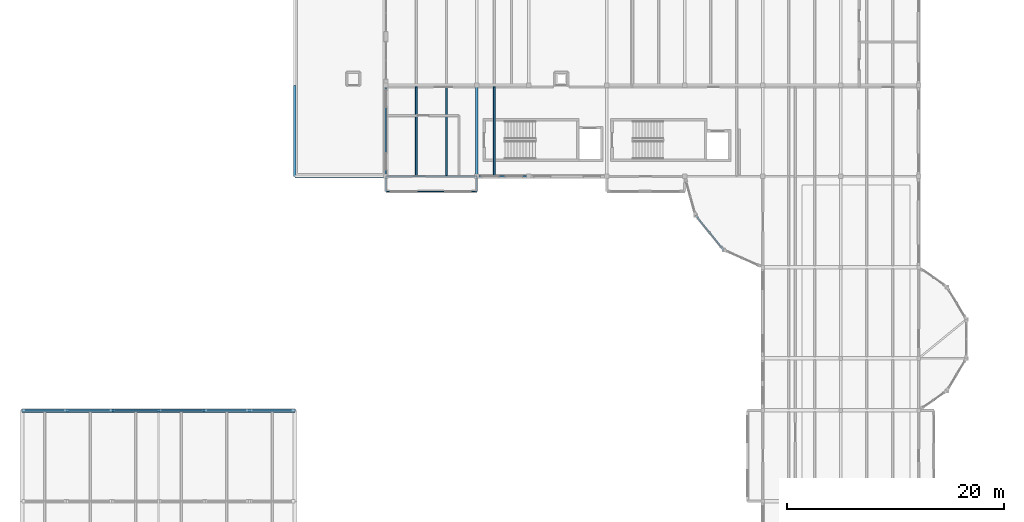
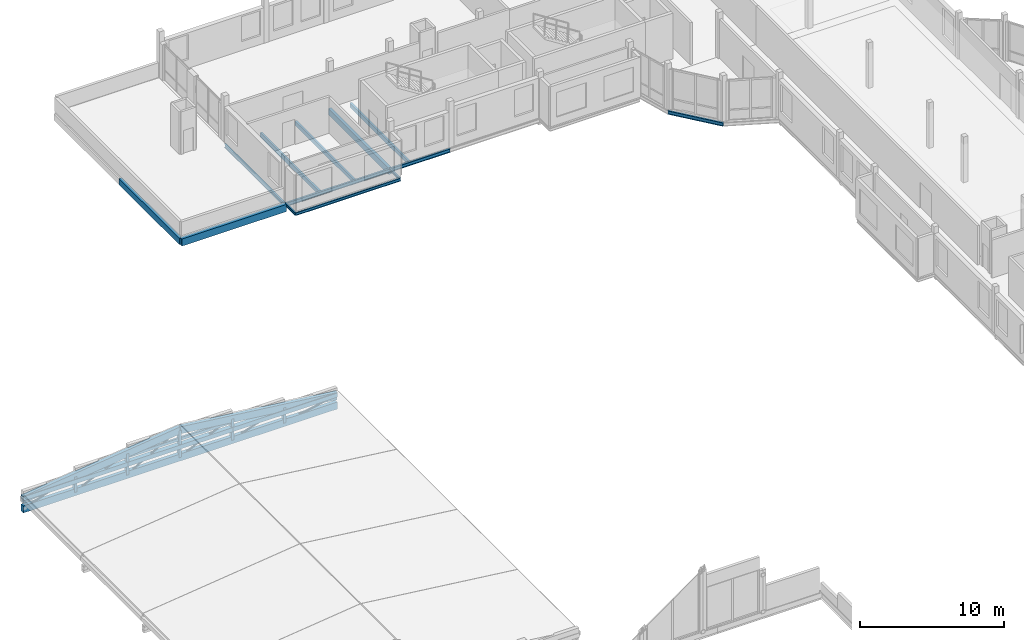
# One storey, part 13 of 34: 16 beams, 15 members.
"""IFC4 building model written with IfcOpenShell, lengths in metres."""

from ifc_helpers import new_model, si_unit, direction, frame, origin, origin_2d, place, context, subcontext, project, spatial, rectangle, hollow_circle, i_section, extrude, material, material_profile, profile_set, type_object, element, save


model = new_model("IFC4")

# Units and contexts
model_context = context("Model", 3, precision=1e-05, world=origin(), true_north=direction((0.0, 1.0)))
body_context = subcontext(model_context, "Body", "Model", "MODEL_VIEW")
ifc_project = project(units=[si_unit("LENGTHUNIT", "METRE"), si_unit("AREAUNIT", "SQUARE_METRE"), si_unit("VOLUMEUNIT", "CUBIC_METRE"), si_unit("PLANEANGLEUNIT", "RADIAN"), si_unit("MASSUNIT", "GRAM", prefix="KILO")], contexts=[model_context])

# Site, building, storey
site_placement = place(None, origin())
site = spatial("IfcSite", under=ifc_project, at=site_placement, CompositionType="ELEMENT")
building_placement = place(site_placement, origin())
building = spatial("IfcBuilding", under=site, at=building_placement, Name="Kahlenmark Community Centre", CompositionType="ELEMENT")
storey_placement = place(building_placement, frame((0.0, 0.0, 17.699951171875)))
storey = spatial("IfcBuildingStorey", under=building, at=storey_placement, Name="L04", CompositionType="ELEMENT", Elevation=17.699951171875)

# Beams
ifc_material_1 = material(Name="Glulam GL32h", Category="wood")
ifc_material_profile_1 = material_profile(ifc_material_1, rectangle(XDim=0.239990234375, YDim=0.52001953125, at=origin_2d()), Name="GL32h 240x520")
ifc_profile_set_1 = profile_set([ifc_material_profile_1], Name="Glulam GL32h")
beam_type_1 = type_object("IfcBeamType", Name="BT-BEAM-GL32h240x520", PredefinedType="BEAM", material=ifc_profile_set_1)
for number, where, z_axis, x_axis, name in (
    (1, (46.0, 97.60009765625, -0.47998046875), (0.0, 1.0, 0.0), (-1.0, 0.0, 0.0), "L04 beam BG-GL32h240x520"),
    (2, (29.199951171875, 97.60009765625, -0.5400390625), (0.0, 1.0, 0.0), (-1.0, 0.0, 0.0), "L04 beam BG-RF520"),
):
    element("IfcBeam", number, at=place(storey_placement, frame(where, z_axis=z_axis, x_axis=x_axis)), inside=storey, type_object=beam_type_1, Name=name, PredefinedType="BEAM", context=body_context, shape_type="SweptSolid", body=[
        extrude(rectangle(XDim=0.239990234375, YDim=0.52001953125, at=origin_2d()), origin(), (0.0, 0.0, 1.0), 8.39990234375),
    ])
ifc_material_profile_2 = material_profile(ifc_material_1, rectangle(XDim=0.280029296875, YDim=0.60009765625, at=origin_2d()), Name="GL32h 280x600")
ifc_profile_set_2 = profile_set([ifc_material_profile_2], Name="Glulam GL32h")
beam_type_2 = type_object("IfcBeamType", Name="BT-BEAM-GL32h280x600", PredefinedType="BEAM", material=ifc_profile_set_2)
beam_1_placement = place(storey_placement, frame((29.199951171875, 97.60009765625, -0.579833984375), z_axis=(1.0, 0.0, 0.0), x_axis=(0.0, 1.0, 0.0)))
element("IfcBeam", 3, at=beam_1_placement, inside=storey, type_object=beam_type_2, Name="L04 beam BG-RF600", PredefinedType="BEAM", context=body_context, shape_type="SweptSolid", body=[
    extrude(rectangle(XDim=0.280029296875, YDim=0.60009765625, at=origin_2d()), origin(), (0.0, 0.0, 1.0), 8.400146484375),
])
ifc_material_2 = material(Name="Steel S355", Category="steel")
ifc_material_profile_3 = material_profile(ifc_material_2, i_section(OverallWidth=0.1201171875, OverallDepth=0.239990234375, WebThickness=0.006103515625, FlangeThickness=0.009765625, at=origin_2d()), Name="IPE 240")
ifc_profile_set_3 = profile_set([ifc_material_profile_3], Name="Steel S355")
beam_type_3 = type_object("IfcBeamType", Name="BT-BEAM-IPE240", PredefinedType="BEAM", material=ifc_profile_set_3)
for number, where, z_axis, x_axis, name in (
    (4, (37.60009765625, 96.199951171875, -0.320068359375), (0.0, 1.0, 0.0), (-1.0, 0.0, 0.0), "L04 beam BG-IPE240"),
    (5, (46.0, 96.199951171875, -0.320068359375), (0.0, 1.0, 0.0), (-1.0, 0.0, 0.0), "L04 beam BG-IPE240"),
):
    element("IfcBeam", number, at=place(storey_placement, frame(where, z_axis=z_axis, x_axis=x_axis)), inside=storey, type_object=beam_type_3, Name=name, PredefinedType="BEAM", context=body_context, shape_type="SweptSolid", body=[
        extrude(i_section(OverallWidth=0.1201171875, OverallDepth=0.239990234375, WebThickness=0.006103515625, FlangeThickness=0.009765625, at=origin_2d()), origin(), (0.0, 0.0, 1.0), 1.400146484375),
    ])
ifc_material_3 = material(Name="Glulam GL28h", Category="wood")
ifc_material_profile_4 = material_profile(ifc_material_3, rectangle(XDim=0.159912109375, YDim=0.360107421875, at=origin_2d()), Name="GL28h 160x360")
ifc_profile_set_4 = profile_set([ifc_material_profile_4], Name="Glulam GL28h")
beam_type_4 = type_object("IfcBeamType", Name="BT-JOIST-GL28h160x360", PredefinedType="JOIST", material=ifc_profile_set_4)
for number, where, z_axis, x_axis, name in (
    (6, (40.39990234375, 97.673095703125, -0.39990234375), (0.0, 1.0, 0.0), (-1.0, 0.0, 0.0), "L04 joist BJ-GL28h160x360"),
    (7, (43.199951171875, 97.673095703125, -0.39990234375), (0.0, 1.0, 0.0), (-1.0, 0.0, 0.0), "L04 joist BJ-GL28h160x360"),
    (8, (47.60009765625, 97.673095703125, -0.39990234375), (0.0, 1.0, 0.0), (-1.0, 0.0, 0.0), "L04 joist BJ-GL28h160x360"),
):
    element("IfcBeam", number, at=place(storey_placement, frame(where, z_axis=z_axis, x_axis=x_axis)), inside=storey, type_object=beam_type_4, Name=name, PredefinedType="JOIST", context=body_context, shape_type="SweptSolid", body=[
        extrude(rectangle(XDim=0.159912109375, YDim=0.360107421875, at=origin_2d()), origin(), (0.0, 0.0, 1.0), 8.178955078125),
    ])
ifc_material_profile_5 = material_profile(ifc_material_1, rectangle(XDim=0.360107421875, YDim=0.360107421875, at=origin_2d()), Name="GL32h 360x360")
ifc_profile_set_5 = profile_set([ifc_material_profile_5], Name="Glulam GL32h")
beam_type_5 = type_object("IfcBeamType", Name="BT-SPANDREL-GL32h360x360", PredefinedType="SPANDREL", material=ifc_profile_set_5)
beam_2_placement = place(storey_placement, frame((4.0, 76.0, -0.3798828125), z_axis=(1.0, 0.0, 0.0), x_axis=(0.0, 1.0, 0.0)))
element("IfcBeam", 9, at=beam_2_placement, inside=storey, type_object=beam_type_5, Name="L04 spandrel SP-EAV400", PredefinedType="SPANDREL", context=body_context, shape_type="SweptSolid", body=[
    extrude(rectangle(XDim=0.360107421875, YDim=0.360107421875, at=origin_2d()), origin(), (0.0, 0.0, 1.0), 8.39990234375),
])
beam_3_placement = place(storey_placement, frame((12.39990234375, 76.0, -0.3798828125), z_axis=(1.0, 0.0, 0.0), x_axis=(0.0, 1.0, 0.0)))
element("IfcBeam", 10, at=beam_3_placement, inside=storey, type_object=beam_type_5, Name="L04 spandrel SP-EAV400", PredefinedType="SPANDREL", context=body_context, shape_type="SweptSolid", body=[
    extrude(rectangle(XDim=0.360107421875, YDim=0.360107421875, at=origin_2d()), origin(), (0.0, 0.0, 1.0), 8.400146484375),
])
beam_4_placement = place(storey_placement, frame((20.800048828125, 76.0, -0.3798828125), z_axis=(1.0, 0.0, 0.0), x_axis=(0.0, 1.0, 0.0)))
element("IfcBeam", 11, at=beam_4_placement, inside=storey, type_object=beam_type_5, Name="L04 spandrel SP-EAV400", PredefinedType="SPANDREL", context=body_context, shape_type="SweptSolid", body=[
    extrude(rectangle(XDim=0.360107421875, YDim=0.360107421875, at=origin_2d()), origin(), (0.0, 0.0, 1.0), 8.39990234375),
])
ifc_material_profile_6 = material_profile(ifc_material_2, i_section(OverallWidth=0.1201171875, OverallDepth=0.239990234375, WebThickness=0.006103515625, FlangeThickness=0.009765625, at=origin_2d()), Name="IPE 240")
ifc_profile_set_6 = profile_set([ifc_material_profile_6], Name="Steel S355")
beam_type_6 = type_object("IfcBeamType", Name="BT-SPANDREL-IPE240", PredefinedType="SPANDREL", material=ifc_profile_set_6)
beam_5_placement = place(storey_placement, frame((37.60009765625, 96.199951171875, -0.320068359375), z_axis=(1.0, 0.0, 0.0), x_axis=(0.0, 1.0, 0.0)))
element("IfcBeam", 12, at=beam_5_placement, inside=storey, type_object=beam_type_6, Name="L04 spandrel SP-IPE240", PredefinedType="SPANDREL", context=body_context, shape_type="SweptSolid", body=[
    extrude(i_section(OverallWidth=0.1201171875, OverallDepth=0.239990234375, WebThickness=0.006103515625, FlangeThickness=0.009765625, at=origin_2d()), origin(), (0.0, 0.0, 1.0), 8.39990234375),
])
ifc_material_profile_7 = material_profile(ifc_material_2, i_section(OverallWidth=0.14990234375, OverallDepth=0.300048828125, WebThickness=0.007080078125, FlangeThickness=0.0107421875, at=origin_2d()), Name="IPE 300")
ifc_profile_set_7 = profile_set([ifc_material_profile_7], Name="Steel S355")
beam_type_7 = type_object("IfcBeamType", Name="BT-SPANDREL-IPE300", PredefinedType="SPANDREL", material=ifc_profile_set_7)
beam_6_placement = place(storey_placement, frame((37.60009765625, 97.60009765625, -0.369873046875), z_axis=(1.0, 0.0, 0.0), x_axis=(0.0, 1.0, 0.0)))
element("IfcBeam", 13, at=beam_6_placement, inside=storey, type_object=beam_type_7, Name="L04 spandrel SP-IPE300", PredefinedType="SPANDREL", context=body_context, shape_type="SweptSolid", body=[
    extrude(i_section(OverallWidth=0.14990234375, OverallDepth=0.300048828125, WebThickness=0.007080078125, FlangeThickness=0.0107421875, at=origin_2d()), origin(), (0.0, 0.0, 1.0), 8.39990234375),
])
beam_7_placement = place(storey_placement, frame((46.0, 97.60009765625, -0.369873046875), z_axis=(1.0, 0.0, 0.0), x_axis=(0.0, 1.0, 0.0)))
element("IfcBeam", 14, at=beam_7_placement, inside=storey, type_object=beam_type_7, Name="L04 spandrel SP-IPE300", PredefinedType="SPANDREL", context=body_context, shape_type="SweptSolid", body=[
    extrude(i_section(OverallWidth=0.14990234375, OverallDepth=0.300048828125, WebThickness=0.007080078125, FlangeThickness=0.0107421875, at=origin_2d()), origin(), (0.0, 0.0, 1.0), 4.800048828125),
])
beam_8_placement = place(storey_placement, frame((37.60009765625, 97.60009765625, -0.429931640625), z_axis=(0.0, 1.0, 0.0), x_axis=(-1.0, 0.0, 0.0)))
element("IfcBeam", 15, at=beam_8_placement, inside=storey, type_object=beam_type_7, Name="L04 spandrel SP-IPE300", PredefinedType="SPANDREL", context=body_context, shape_type="SweptSolid", body=[
    extrude(i_section(OverallWidth=0.14990234375, OverallDepth=0.300048828125, WebThickness=0.007080078125, FlangeThickness=0.0107421875, at=origin_2d()), origin(), (0.0, 0.0, 1.0), 8.39990234375),
])
beam_9_placement = place(storey_placement, frame((66.199951171875, 94.0, -0.349853515625), z_axis=(0.630612687458, -0.776097699015, 0.0), x_axis=(0.776097699015, 0.630612687458, 0.0)))
element("IfcBeam", 16, at=beam_9_placement, inside=storey, type_object=beam_type_7, Name="L04 spandrel SP-IPE300", PredefinedType="SPANDREL", context=body_context, shape_type="SweptSolid", body=[
    extrude(i_section(OverallWidth=0.14990234375, OverallDepth=0.300048828125, WebThickness=0.007080078125, FlangeThickness=0.0107421875, at=origin_2d()), origin(), (0.0, 0.0, 1.0), 4.123046875),
])

# Members
ifc_material_profile_8 = material_profile(ifc_material_2, hollow_circle(Radius=0.06982421875, WallThickness=0.00634765625, at=origin_2d()), Name="CHS 139.7x6.3")
ifc_profile_set_8 = profile_set([ifc_material_profile_8], Name="Steel S355")
member_type_1 = type_object("IfcMemberType", Name="MT-BRACE-CHS139.7x6.3", PredefinedType="BRACE", material=ifc_profile_set_8)
member_1_placement = place(storey_placement, frame((4.14990234375, 76.0, -1.25), z_axis=(0.955785476607, 0.0, 0.294064827388), x_axis=(0.0, 1.0, 0.0)))
element("IfcMember", 17, at=member_1_placement, inside=storey, type_object=member_type_1, Name="L04 brace ST-WEB-D", PredefinedType="BRACE", context=body_context, shape_type="SweptSolid", body=[
    extrude(hollow_circle(Radius=0.06982421875, WallThickness=0.00634765625, at=origin_2d()), origin(), (0.0, 0.0, 1.0), 4.08056640625),
])
member_2_placement = place(storey_placement, frame((8.35009765625, 76.0, -1.25), z_axis=(0.916696503699, 0.0, 0.399584184003), x_axis=(0.0, 1.0, 0.0)))
element("IfcMember", 18, at=member_2_placement, inside=storey, type_object=member_type_1, Name="L04 brace ST-WEB-D", PredefinedType="BRACE", context=body_context, shape_type="SweptSolid", body=[
    extrude(hollow_circle(Radius=0.06982421875, WallThickness=0.00634765625, at=origin_2d()), origin(), (0.0, 0.0, 1.0), 4.25439453125),
])
member_3_placement = place(storey_placement, frame((12.550048828125, 76.0, -1.25), z_axis=(0.870977869466, 0.0, 0.491322247512), x_axis=(0.0, 1.0, 0.0)))
element("IfcMember", 19, at=member_3_placement, inside=storey, type_object=member_type_1, Name="L04 brace ST-WEB-D", PredefinedType="BRACE", context=body_context, shape_type="SweptSolid", body=[
    extrude(hollow_circle(Radius=0.06982421875, WallThickness=0.00634765625, at=origin_2d()), origin(), (0.0, 0.0, 1.0), 4.4775390625),
])
member_4_placement = place(storey_placement, frame((16.75, 76.0, -1.25), z_axis=(0.916696503699, 0.0, 0.399584184003), x_axis=(0.0, 1.0, 0.0)))
element("IfcMember", 20, at=member_4_placement, inside=storey, type_object=member_type_1, Name="L04 brace ST-WEB-D", PredefinedType="BRACE", context=body_context, shape_type="SweptSolid", body=[
    extrude(hollow_circle(Radius=0.06982421875, WallThickness=0.00634765625, at=origin_2d()), origin(), (0.0, 0.0, 1.0), 4.25439453125),
])
member_5_placement = place(storey_placement, frame((20.949951171875, 76.0, -1.25), z_axis=(0.955785476607, 0.0, 0.294064827388), x_axis=(0.0, 1.0, 0.0)))
element("IfcMember", 21, at=member_5_placement, inside=storey, type_object=member_type_1, Name="L04 brace ST-WEB-D", PredefinedType="BRACE", context=body_context, shape_type="SweptSolid", body=[
    extrude(hollow_circle(Radius=0.06982421875, WallThickness=0.00634765625, at=origin_2d()), origin(), (0.0, 0.0, 1.0), 4.08056640625),
])
member_6_placement = place(storey_placement, frame((25.14990234375, 76.0, -1.25), z_axis=(0.984274503337, 0.0, 0.176645696467), x_axis=(0.0, 1.0, 0.0)))
element("IfcMember", 22, at=member_6_placement, inside=storey, type_object=member_type_1, Name="L04 brace ST-WEB-D", PredefinedType="BRACE", context=body_context, shape_type="SweptSolid", body=[
    extrude(hollow_circle(Radius=0.06982421875, WallThickness=0.00634765625, at=origin_2d()), origin(), (0.0, 0.0, 1.0), 3.96240234375),
])
ifc_material_profile_9 = material_profile(ifc_material_1, rectangle(XDim=0.280029296875, YDim=0.60009765625, at=origin_2d()), Name="GL32h 280x600")
ifc_profile_set_9 = profile_set([ifc_material_profile_9], Name="Glulam GL32h")
member_type_2 = type_object("IfcMemberType", Name="MT-CHORD-GL32h280x600", PredefinedType="CHORD", material=ifc_profile_set_9)
member_7_placement = place(storey_placement, frame((4.0, 76.0, -1.300048828125), z_axis=(1.0, 0.0, 0.0), x_axis=(0.0, 1.0, 0.0)))
element("IfcMember", 23, at=member_7_placement, inside=storey, type_object=member_type_2, Name="L04 chord ST-BC", PredefinedType="CHORD", context=body_context, shape_type="SweptSolid", body=[
    extrude(rectangle(XDim=0.280029296875, YDim=0.60009765625, at=origin_2d()), origin(), (0.0, 0.0, 1.0), 25.199951171875),
])
member_8_placement = place(storey_placement, frame((4.0, 76.0, -0.5), z_axis=(0.992988381742, 0.0, 0.118211986387), x_axis=(0.0, 1.0, 0.0)))
element("IfcMember", 24, at=member_8_placement, inside=storey, type_object=member_type_2, Name="L04 chord ST-TC", PredefinedType="CHORD", context=body_context, shape_type="SweptSolid", body=[
    extrude(rectangle(XDim=0.280029296875, YDim=0.60009765625, at=origin_2d()), origin(), (0.0, 0.0, 1.0), 12.68896484375),
])
member_9_placement = place(storey_placement, frame((16.60009765625, 76.0, 1.0), z_axis=(0.99298811287, 0.0, -0.118214244908), x_axis=(0.0, 1.0, 0.0)))
element("IfcMember", 25, at=member_9_placement, inside=storey, type_object=member_type_2, Name="L04 chord ST-TC", PredefinedType="CHORD", context=body_context, shape_type="SweptSolid", body=[
    extrude(rectangle(XDim=0.280029296875, YDim=0.60009765625, at=origin_2d()), origin(), (0.0, 0.0, 1.0), 12.688720703125),
])
ifc_material_profile_10 = material_profile(ifc_material_3, rectangle(XDim=0.159912109375, YDim=0.239990234375, at=origin_2d()), Name="GL28h 160x240")
ifc_profile_set_10 = profile_set([ifc_material_profile_10], Name="Glulam GL28h")
member_type_3 = type_object("IfcMemberType", Name="MT-COLLAR-GL28h160x240", PredefinedType="COLLAR", material=ifc_profile_set_10)
member_10_placement = place(storey_placement, frame((12.39990234375, 76.0, 0.199951171875), z_axis=(1.0, 0.0, 0.0), x_axis=(0.0, 1.0, 0.0)))
element("IfcMember", 26, at=member_10_placement, inside=storey, type_object=member_type_3, Name="L04 collar ST-COL", PredefinedType="COLLAR", context=body_context, shape_type="SweptSolid", body=[
    extrude(rectangle(XDim=0.159912109375, YDim=0.239990234375, at=origin_2d()), origin(), (0.0, 0.0, 1.0), 8.400146484375),
])
ifc_material_profile_11 = material_profile(ifc_material_3, rectangle(XDim=0.199951171875, YDim=0.280029296875, at=origin_2d()), Name="GL28h 200x280")
ifc_profile_set_11 = profile_set([ifc_material_profile_11], Name="Glulam GL28h")
member_type_4 = type_object("IfcMemberType", Name="MT-STRUT-GL28h200x280", PredefinedType="STRUT", material=ifc_profile_set_11)
member_11_placement = place(storey_placement, frame((8.199951171875, 76.0, -1.300048828125), z_axis=(0.0, 0.0, 1.0), x_axis=(1.0, 0.0, 0.0)))
element("IfcMember", 27, at=member_11_placement, inside=storey, type_object=member_type_4, Name="L04 strut ST-WEB-V", PredefinedType="STRUT", context=body_context, shape_type="SweptSolid", body=[
    extrude(rectangle(XDim=0.199951171875, YDim=0.280029296875, at=origin_2d()), origin(), (0.0, 0.0, 1.0), 1.300048828125),
])
member_12_placement = place(storey_placement, frame((12.39990234375, 76.0, -1.300048828125), z_axis=(0.0, 0.0, 1.0), x_axis=(1.0, 0.0, 0.0)))
element("IfcMember", 28, at=member_12_placement, inside=storey, type_object=member_type_4, Name="L04 strut ST-WEB-V", PredefinedType="STRUT", context=body_context, shape_type="SweptSolid", body=[
    extrude(rectangle(XDim=0.199951171875, YDim=0.280029296875, at=origin_2d()), origin(), (0.0, 0.0, 1.0), 1.800048828125),
])
member_13_placement = place(storey_placement, frame((16.60009765625, 76.0, -1.300048828125), z_axis=(0.0, 0.0, 1.0), x_axis=(1.0, 0.0, 0.0)))
element("IfcMember", 29, at=member_13_placement, inside=storey, type_object=member_type_4, Name="L04 strut ST-WEB-V", PredefinedType="STRUT", context=body_context, shape_type="SweptSolid", body=[
    extrude(rectangle(XDim=0.199951171875, YDim=0.280029296875, at=origin_2d()), origin(), (0.0, 0.0, 1.0), 2.300048828125),
])
member_14_placement = place(storey_placement, frame((20.800048828125, 76.0, -1.300048828125), z_axis=(0.0, 0.0, 1.0), x_axis=(1.0, 0.0, 0.0)))
element("IfcMember", 30, at=member_14_placement, inside=storey, type_object=member_type_4, Name="L04 strut ST-WEB-V", PredefinedType="STRUT", context=body_context, shape_type="SweptSolid", body=[
    extrude(rectangle(XDim=0.199951171875, YDim=0.280029296875, at=origin_2d()), origin(), (0.0, 0.0, 1.0), 1.800048828125),
])
member_15_placement = place(storey_placement, frame((25.0, 76.0, -1.300048828125), z_axis=(0.0, 0.0, 1.0), x_axis=(1.0, 0.0, 0.0)))
element("IfcMember", 31, at=member_15_placement, inside=storey, type_object=member_type_4, Name="L04 strut ST-WEB-V", PredefinedType="STRUT", context=body_context, shape_type="SweptSolid", body=[
    extrude(rectangle(XDim=0.199951171875, YDim=0.280029296875, at=origin_2d()), origin(), (0.0, 0.0, 1.0), 1.300048828125),
])

save(model, "model.ifc")
